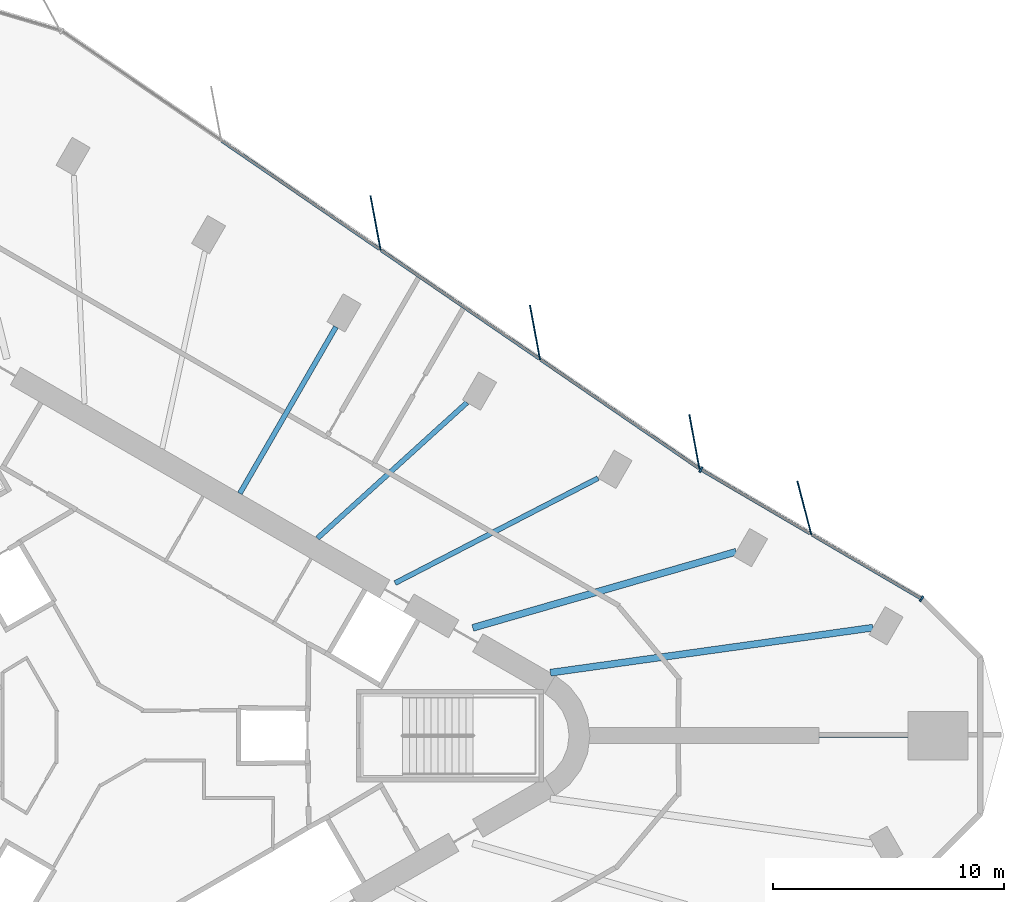
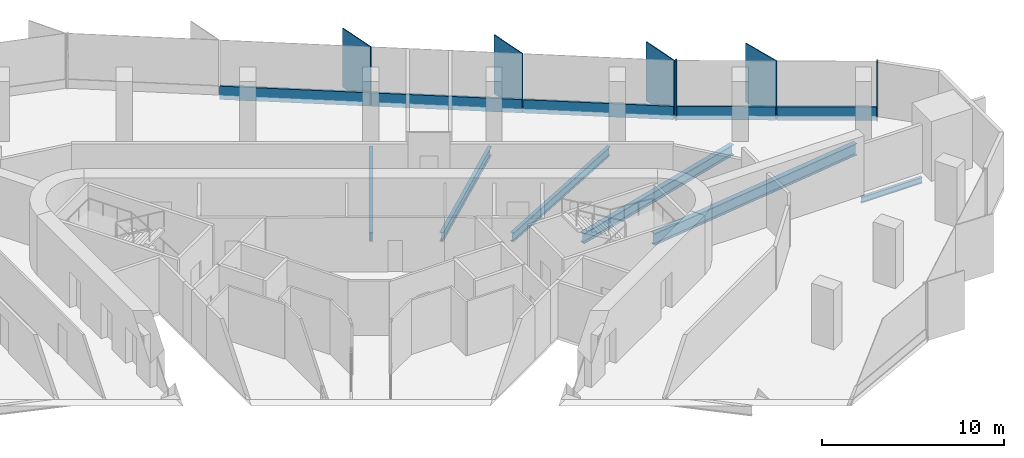
# One storey, part 5 of 13: 11 members, 6 beams, 2 elements without a shape of their own.
"""IFC4 building model written with IfcOpenShell, lengths in metres."""

from ifc_helpers import new_model, si_unit, direction, frame, origin, origin_2d, place, context, subcontext, project, spatial, rectangle, i_section, extrude, material, material_profile, profile_set, type_object, element, aggregate, save


model = new_model("IFC4")

# Units and contexts
model_context = context("Model", 3, precision=1e-05, world=origin(), true_north=direction((0.0, 1.0)))
body_context = subcontext(model_context, "Body", "Model", "MODEL_VIEW")
ifc_project = project(units=[si_unit("LENGTHUNIT", "METRE"), si_unit("AREAUNIT", "SQUARE_METRE"), si_unit("VOLUMEUNIT", "CUBIC_METRE"), si_unit("PLANEANGLEUNIT", "RADIAN"), si_unit("MASSUNIT", "GRAM", prefix="KILO")], contexts=[model_context])

# Site, building, storey
site_placement = place(None, origin())
site = spatial("IfcSite", under=ifc_project, at=site_placement, CompositionType="ELEMENT")
building_placement = place(site_placement, origin())
building = spatial("IfcBuilding", under=site, at=building_placement, Name="Tanit Gate Tower", CompositionType="ELEMENT")
storey_placement = place(building_placement, frame((0.0, 0.0, 273.199951171875)))
storey = spatial("IfcBuildingStorey", under=building, at=storey_placement, Name="L62", CompositionType="ELEMENT", Elevation=273.199951171875)

# Curtain wall, member
ifc_material_1 = material(Name="Aluminium bronze anodised and glass", Category="aluminium")
curtain_wall_type = type_object("IfcCurtainWallType", Name="Curtain wall typical mid", PredefinedType="NOTDEFINED", material=ifc_material_1)
curtain_wall_1_placement = place(storey_placement, origin())
curtain_wall_1 = element("IfcCurtainWall", 1, at=curtain_wall_1_placement, inside=storey, type_object=curtain_wall_type, Name="Curtain wall L62 NE1", PredefinedType="NOTDEFINED")
ifc_material_2 = material(Name="Aluminium bronze anodised", Category="aluminium")
ifc_material_profile_1 = material_profile(ifc_material_2, rectangle(XDim=2.39990234375, YDim=0.055908203125, at=origin_2d()), Name="56x2400 bronze fin mullion")
ifc_profile_set_1 = profile_set([ifc_material_profile_1], Name="Aluminium bronze anodised")
member_type_1 = type_object("IfcMemberType", Name="FIN MULLION 56x2400 bronze", PredefinedType="MULLION", material=ifc_profile_set_1)
member_1_placement = place(storey_placement, frame((30.47998046875, 9.8564453125, -0.300048828125), z_axis=(0.0, 0.0, 1.0), x_axis=(0.252657341171, -0.967555821621, 0.0)))
member_1 = element("IfcMember", 2, at=member_1_placement, type_object=member_type_1, Name="Fin mullion L62 NE1.2", PredefinedType="MULLION", context=body_context, shape_type="SweptSolid", body=[
    extrude(rectangle(XDim=2.39990234375, YDim=0.055908203125, at=origin_2d()), origin(), (0.0, 0.0, 1.0), 3.9501953125),
])

# Curtain wall, members
curtain_wall_2_placement = place(storey_placement, origin())
curtain_wall_2 = element("IfcCurtainWall", 3, at=curtain_wall_2_placement, inside=storey, type_object=curtain_wall_type, Name="Curtain wall L62 NE2", PredefinedType="NOTDEFINED")
member_2_placement = place(storey_placement, frame((25.72216796875, 12.713623046875, -0.300048828125), z_axis=(0.0, 0.0, 1.0), x_axis=(0.182983013261, -0.983116074967, 0.0)))
member_2 = element("IfcMember", 4, at=member_2_placement, type_object=member_type_1, Name="Fin mullion L62 NE2.1", PredefinedType="MULLION", context=body_context, shape_type="SweptSolid", body=[
    extrude(rectangle(XDim=2.39990234375, YDim=0.055908203125, at=origin_2d()), origin(), (0.0, 0.0, 1.0), 3.9501953125),
])
member_3_placement = place(storey_placement, frame((18.8232421875, 17.447509765625, -0.300048828125), z_axis=(0.0, 0.0, 1.0), x_axis=(0.182983013261, -0.983116074967, 0.0)))
member_3 = element("IfcMember", 5, at=member_3_placement, type_object=member_type_1, Name="Fin mullion L62 NE2.2", PredefinedType="MULLION", context=body_context, shape_type="SweptSolid", body=[
    extrude(rectangle(XDim=2.39990234375, YDim=0.055908203125, at=origin_2d()), origin(), (0.0, 0.0, 1.0), 3.9501953125),
])
member_4_placement = place(storey_placement, frame((11.92431640625, 22.181396484375, -0.300048828125), z_axis=(0.0, 0.0, 1.0), x_axis=(0.182983013261, -0.983116074967, 0.0)))
member_4 = element("IfcMember", 6, at=member_4_placement, type_object=member_type_1, Name="Fin mullion L62 NE2.3", PredefinedType="MULLION", context=body_context, shape_type="SweptSolid", body=[
    extrude(rectangle(XDim=2.39990234375, YDim=0.055908203125, at=origin_2d()), origin(), (0.0, 0.0, 1.0), 3.9501953125),
])

# Member
ifc_material_3 = material(Name="Aluminium bronze anodised", Category="aluminium")
ifc_material_profile_2 = material_profile(ifc_material_3, rectangle(XDim=0.260009765625, YDim=0.080078125, at=origin_2d()), Name="80x260 bronze mullion")
ifc_profile_set_2 = profile_set([ifc_material_profile_2], Name="Aluminium bronze anodised")
member_type_2 = type_object("IfcMemberType", Name="Mullion 80x260 typical mid", PredefinedType="MULLION", material=ifc_profile_set_2)
member_5_placement = place(storey_placement, frame((35.550537109375, 5.919677734375, -0.300048828125), z_axis=(0.0, 0.0, 1.0), x_axis=(-0.505509563386, -0.862821001903, 0.0)))
member_5 = element("IfcMember", 7, at=member_5_placement, type_object=member_type_2, Name="Mullion L62 NE1.1", PredefinedType="MULLION", context=body_context, shape_type="SweptSolid", body=[
    extrude(rectangle(XDim=0.260009765625, YDim=0.080078125, at=origin_2d()), origin(), (0.0, 0.0, 1.0), 3.9501953125),
])

member_6_placement = place(storey_placement, frame((26.00537109375, 11.511962890625, -0.300048828125), z_axis=(0.0, 0.0, 1.0), x_axis=(-0.505509563386, -0.862821001903, 0.0)))
member_6 = element("IfcMember", 8, at=member_6_placement, type_object=member_type_2, Name="Mullion L62 NE1.3", PredefinedType="MULLION", context=body_context, shape_type="SweptSolid", body=[
    extrude(rectangle(XDim=0.260009765625, YDim=0.080078125, at=origin_2d()), origin(), (0.0, 0.0, 1.0), 3.9501953125),
])

# Beams
ifc_material_4 = material(Name="Steel S355", Category="steel")
ifc_material_profile_3 = material_profile(ifc_material_4, i_section(OverallWidth=0.300048828125, OverallDepth=0.68994140625, WebThickness=0.014404296875, FlangeThickness=0.027099609375, FilletRadius=0.027099609375, at=origin_2d()), Name="HEA 700")
ifc_profile_set_3 = profile_set([ifc_material_profile_3], Name="Steel S355")
beam_type_1 = type_object("IfcBeamType", Name="RADIAL GIRDER HEA 700 S355", PredefinedType="BEAM", material=ifc_profile_set_3)
beam_1_placement = place(storey_placement, frame((27.528564453125, 7.955078125, -0.64501953125), z_axis=(-0.960692598628, -0.277614356511, 0.0), x_axis=(0.277614356511, -0.960692598628, 0.0)))
element("IfcBeam", 9, at=beam_1_placement, inside=storey, type_object=beam_type_1, Name="RADIAL GIRDER", PredefinedType="BEAM", context=body_context, shape_type="SweptSolid", body=[
    extrude(i_section(OverallWidth=0.300048828125, OverallDepth=0.68994140625, WebThickness=0.014404296875, FlangeThickness=0.027099609375, FilletRadius=0.027099609375, at=origin_2d()), origin(), (0.0, 0.0, 1.0), 11.8642578125),
])
ifc_material_5 = material(Name="Steel S355", Category="steel")
ifc_material_profile_4 = material_profile(ifc_material_5, i_section(OverallWidth=0.300048828125, OverallDepth=0.7900390625, WebThickness=0.014892578125, FlangeThickness=0.028076171875, FilletRadius=0.030029296875, at=origin_2d()), Name="HEA 800")
ifc_profile_set_4 = profile_set([ifc_material_profile_4], Name="Steel S355")
beam_type_2 = type_object("IfcBeamType", Name="RADIAL GIRDER HEA 800 S355", PredefinedType="BEAM", material=ifc_profile_set_4)
beam_2_placement = place(storey_placement, frame((33.450927734375, 4.6708984375, -0.695068359375), z_axis=(-0.990390390759, -0.138299941769, 0.0), x_axis=(0.138299941769, -0.990390390759, 0.0)))
element("IfcBeam", 10, at=beam_2_placement, inside=storey, type_object=beam_type_2, Name="RADIAL GIRDER", PredefinedType="BEAM", context=body_context, shape_type="SweptSolid", body=[
    extrude(i_section(OverallWidth=0.300048828125, OverallDepth=0.7900390625, WebThickness=0.014892578125, FlangeThickness=0.028076171875, FilletRadius=0.030029296875, at=origin_2d()), origin(), (0.0, 0.0, 1.0), 14.095947265625),
])
ifc_material_6 = material(Name="Steel S355", Category="steel")
ifc_material_profile_5 = material_profile(ifc_material_6, i_section(OverallWidth=0.179931640625, OverallDepth=0.39990234375, WebThickness=0.008544921875, FlangeThickness=0.013427734375, FilletRadius=0.02099609375, at=origin_2d()), Name="IPE 400")
ifc_profile_set_5 = profile_set([ifc_material_profile_5], Name="Steel S355")
beam_type_3 = type_object("IfcBeamType", Name="RADIAL GIRDER IPE 400 S355", PredefinedType="BEAM", material=ifc_profile_set_5)
beam_3_placement = place(storey_placement, frame((34.97021484375, 0.0, -0.5), z_axis=(-1.0, 0.0, 0.0), x_axis=(0.0, -1.0, 0.0)))
element("IfcBeam", 11, at=beam_3_placement, inside=storey, type_object=beam_type_3, Name="RADIAL GIRDER", PredefinedType="BEAM", context=body_context, shape_type="SweptSolid", body=[
    extrude(i_section(OverallWidth=0.179931640625, OverallDepth=0.39990234375, WebThickness=0.008544921875, FlangeThickness=0.013427734375, FilletRadius=0.02099609375, at=origin_2d()), origin(), (0.0, 0.0, 1.0), 3.855712890625),
])
ifc_material_7 = material(Name="Steel S355", Category="steel")
ifc_material_profile_6 = material_profile(ifc_material_7, i_section(OverallWidth=0.219970703125, OverallDepth=0.60009765625, WebThickness=0.011962890625, FlangeThickness=0.01904296875, FilletRadius=0.02392578125, at=origin_2d()), Name="IPE 600")
ifc_profile_set_6 = profile_set([ifc_material_profile_6], Name="Steel S355")
beam_type_4 = type_object("IfcBeamType", Name="RADIAL GIRDER IPE 600 S355", PredefinedType="BEAM", material=ifc_profile_set_6)
beam_4_placement = place(storey_placement, frame((21.5498046875, 11.138916015625, -0.599853515625), z_axis=(-0.888343449029, -0.459179612534, 0.0), x_axis=(0.459179612534, -0.888343449029, 0.0)))
element("IfcBeam", 12, at=beam_4_placement, inside=storey, type_object=beam_type_4, Name="RADIAL GIRDER", PredefinedType="BEAM", context=body_context, shape_type="SweptSolid", body=[
    extrude(i_section(OverallWidth=0.219970703125, OverallDepth=0.60009765625, WebThickness=0.011962890625, FlangeThickness=0.01904296875, FilletRadius=0.02392578125, at=origin_2d()), origin(), (0.0, 0.0, 1.0), 9.882568359375),
])
beam_5_placement = place(storey_placement, frame((15.88037109375, 14.412109375, -0.599853515625), z_axis=(-0.740510084362, -0.672045247701, 0.0), x_axis=(0.672045247701, -0.740510084362, 0.0)))
element("IfcBeam", 13, at=beam_5_placement, inside=storey, type_object=beam_type_4, Name="RADIAL GIRDER", PredefinedType="BEAM", context=body_context, shape_type="SweptSolid", body=[
    extrude(i_section(OverallWidth=0.219970703125, OverallDepth=0.60009765625, WebThickness=0.011962890625, FlangeThickness=0.01904296875, FilletRadius=0.02392578125, at=origin_2d()), origin(), (0.0, 0.0, 1.0), 8.736572265625),
])
beam_6_placement = place(storey_placement, frame((10.210693359375, 17.685546875, -0.599853515625), z_axis=(-0.499995954789, -0.866027739276, 0.0), x_axis=(0.866027739276, -0.499995954789, 0.0)))
element("IfcBeam", 14, at=beam_6_placement, inside=storey, type_object=beam_type_4, Name="RADIAL GIRDER", PredefinedType="BEAM", context=body_context, shape_type="SweptSolid", body=[
    extrude(i_section(OverallWidth=0.219970703125, OverallDepth=0.60009765625, WebThickness=0.011962890625, FlangeThickness=0.01904296875, FilletRadius=0.02392578125, at=origin_2d()), origin(), (0.0, 0.0, 1.0), 8.3193359375),
])

# Member
ifc_material_8 = material(Name="Aluminium bronze anodised", Category="aluminium")
ifc_material_profile_7 = material_profile(ifc_material_8, rectangle(XDim=0.139892578125, YDim=0.89990234375, at=origin_2d()), Name="140x900 bronze transom")
ifc_profile_set_7 = profile_set([ifc_material_profile_7], Name="Aluminium bronze anodised")
member_type_3 = type_object("IfcMemberType", Name="Transom 140x900 typical mid", PredefinedType="USERDEFINED", material=ifc_profile_set_7)
member_7_placement = place(storey_placement, frame((35.515869140625, 5.93994140625, 0.150146484375), z_axis=(-0.86282057378, 0.505510294121, 0.0), x_axis=(-0.505510294121, -0.86282057378, 0.0)))
member_7 = element("IfcMember", 15, at=member_7_placement, type_object=member_type_3, Name="Transom L62 NE1.1", ObjectType="TRANSOM", PredefinedType="USERDEFINED", context=body_context, shape_type="SweptSolid", body=[
    extrude(rectangle(XDim=0.139892578125, YDim=0.89990234375, at=origin_2d()), origin(), (0.0, 0.0, 1.0), 5.451171875),
])

member_8_placement = place(storey_placement, frame((30.743408203125, 8.736083984375, 0.150146484375), z_axis=(-0.862832018003, 0.505490760261, 0.0), x_axis=(-0.505490760261, -0.862832018003, 0.0)))
member_8 = element("IfcMember", 16, at=member_8_placement, type_object=member_type_3, Name="Transom L62 NE1.2", ObjectType="TRANSOM", PredefinedType="USERDEFINED", context=body_context, shape_type="SweptSolid", body=[
    extrude(rectangle(XDim=0.139892578125, YDim=0.89990234375, at=origin_2d()), origin(), (0.0, 0.0, 1.0), 5.451416015625),
])

aggregate(curtain_wall_1, [member_5, member_1, member_6, member_7, member_8])

member_9_placement = place(storey_placement, frame((25.90478515625, 11.577392578125, 0.150146484375), z_axis=(-0.824560783398, 0.565773377318, 0.0), x_axis=(-0.565773377318, -0.824560783398, 0.0)))
member_9 = element("IfcMember", 17, at=member_9_placement, type_object=member_type_3, Name="Transom L62 NE2.1", ObjectType="TRANSOM", PredefinedType="USERDEFINED", context=body_context, shape_type="SweptSolid", body=[
    extrude(rectangle(XDim=0.139892578125, YDim=0.89990234375, at=origin_2d()), origin(), (0.0, 0.0, 1.0), 8.286865234375),
])

member_10_placement = place(storey_placement, frame((19.005859375, 16.311279296875, 0.150146484375), z_axis=(-0.824560783398, 0.565773377318, 0.0), x_axis=(-0.565773377318, -0.824560783398, 0.0)))
member_10 = element("IfcMember", 18, at=member_10_placement, type_object=member_type_3, Name="Transom L62 NE2.2", ObjectType="TRANSOM", PredefinedType="USERDEFINED", context=body_context, shape_type="SweptSolid", body=[
    extrude(rectangle(XDim=0.139892578125, YDim=0.89990234375, at=origin_2d()), origin(), (0.0, 0.0, 1.0), 8.286865234375),
])

member_11_placement = place(storey_placement, frame((12.10693359375, 21.044921875, 0.150146484375), z_axis=(-0.824547039294, 0.565793407519, 0.0), x_axis=(-0.565793407519, -0.824547039294, 0.0)))
member_11 = element("IfcMember", 19, at=member_11_placement, type_object=member_type_3, Name="Transom L62 NE2.3", ObjectType="TRANSOM", PredefinedType="USERDEFINED", context=body_context, shape_type="SweptSolid", body=[
    extrude(rectangle(XDim=0.139892578125, YDim=0.89990234375, at=origin_2d()), origin(), (0.0, 0.0, 1.0), 8.286865234375),
])

aggregate(curtain_wall_2, [member_2, member_3, member_4, member_9, member_10, member_11])

save(model, "model.ifc")
